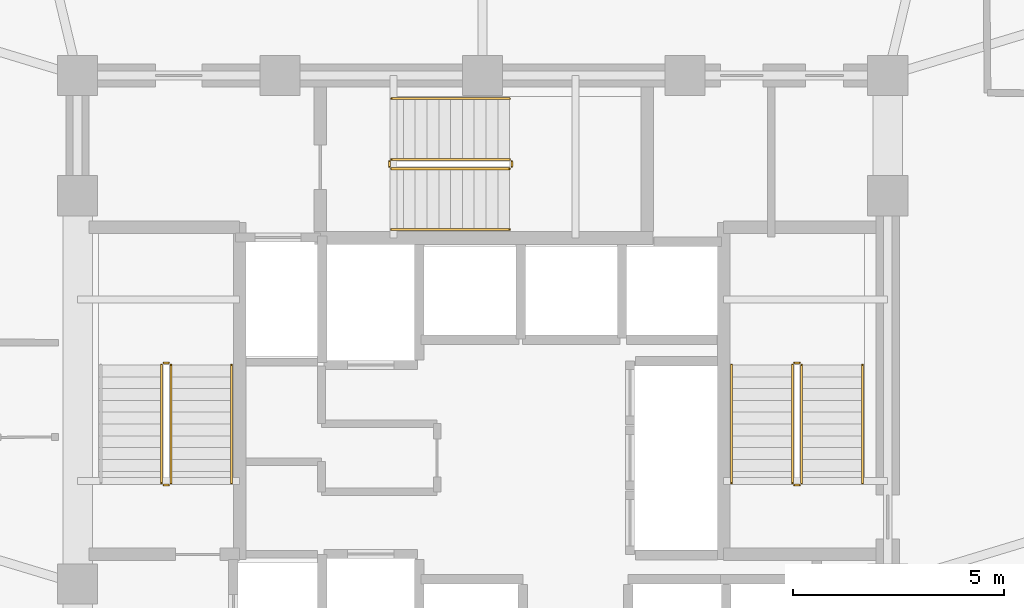
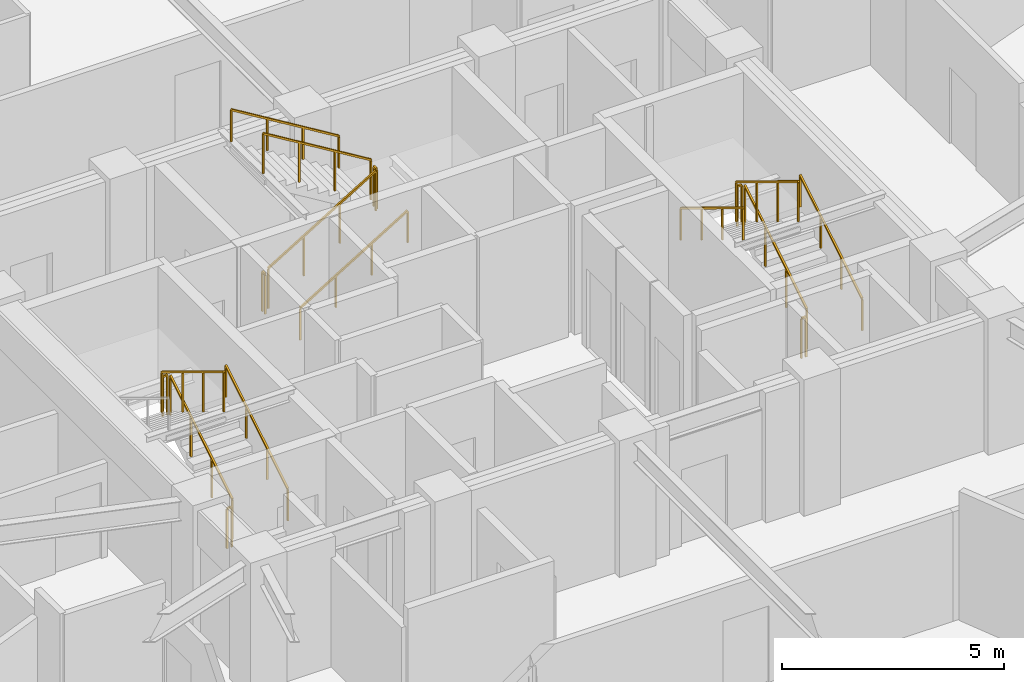
# One storey, part 15 of 16: 17 railings.
"""IFC4 building model written with IfcOpenShell, lengths in metres."""

from ifc_helpers import new_model, si_unit, direction, frame, origin, origin_2d, place, context, subcontext, project, spatial, rectangle, extrude, material, type_object, element, save


model = new_model("IFC4")

# Units and contexts
model_context = context("Model", 3, precision=1e-05, world=origin(), true_north=direction((0.0, 1.0)))
body_context = subcontext(model_context, "Body", "Model", "MODEL_VIEW")
ifc_project = project(units=[si_unit("LENGTHUNIT", "METRE"), si_unit("AREAUNIT", "SQUARE_METRE"), si_unit("VOLUMEUNIT", "CUBIC_METRE"), si_unit("PLANEANGLEUNIT", "RADIAN"), si_unit("MASSUNIT", "GRAM", prefix="KILO")], contexts=[model_context])

# Site, building, storey
site_placement = place(None, origin())
site = spatial("IfcSite", under=ifc_project, at=site_placement, CompositionType="ELEMENT")
building_placement = place(site_placement, origin())
building = spatial("IfcBuilding", under=site, at=building_placement, Name="Vantalir Tower", CompositionType="ELEMENT")
storey_placement = place(building_placement, frame((0.0, 0.0, 145.949951171875)))
storey = spatial("IfcBuildingStorey", under=building, at=storey_placement, Name="L36", CompositionType="ELEMENT", Elevation=145.949951171875)

# Railings
ifc_material_1 = material(Name="Anodised aluminium and stainless steel guard", Category="steel")
railing_type_1 = type_object("IfcRailingType", Name="RAL-GUARD-1120", PredefinedType="GUARDRAIL", material=ifc_material_1)
railing_1_placement = place(storey_placement, frame((24.110107421875, 22.7900390625, 0.17041015625)))
element("IfcRailing", 1, at=railing_1_placement, inside=storey, type_object=railing_type_1, Name="L36 ST1 stair guard 1", PredefinedType="GUARDRAIL", context=body_context, shape_type="SweptSolid", body=[
    extrude(rectangle(XDim=0.048095703125, YDim=0.048095703125, at=origin_2d()), frame((0.0, 0.0, 1.09619140625), z_axis=(0.0, 0.854169791009, 0.51999420009), x_axis=(-1.0, 0.0, 0.0)), (0.0, 0.0, 1.0), 3.278076171875),
    extrude(rectangle(XDim=0.0419921875, YDim=0.0419921875, at=origin_2d()), origin(), (0.0, 0.0, 1.0), 1.072021484375),
    extrude(rectangle(XDim=0.0419921875, YDim=0.0419921875, at=origin_2d()), frame((0.0, 0.933349609375, 0.568115234375)), (0.0, 0.0, 1.0), 1.072021484375),
    extrude(rectangle(XDim=0.0419921875, YDim=0.0419921875, at=origin_2d()), frame((0.0, 1.86669921875, 1.136474609375)), (0.0, 0.0, 1.0), 1.072021484375),
    extrude(rectangle(XDim=0.0419921875, YDim=0.0419921875, at=origin_2d()), frame((0.0, 2.800048828125, 1.70458984375)), (0.0, 0.0, 1.0), 1.072021484375),
])
railing_2_placement = place(storey_placement, frame((24.06005859375, 25.639892578125, 1.875)))
element("IfcRailing", 2, at=railing_2_placement, inside=storey, type_object=railing_type_1, Name="L36 ST1 stair guard 2", PredefinedType="GUARDRAIL", context=body_context, shape_type="SweptSolid", body=[
    extrude(rectangle(XDim=0.048095703125, YDim=0.048095703125, at=origin_2d()), frame((0.0, 0.0, 1.09619140625), z_axis=(-1.0, 0.0, 0.0), x_axis=(0.0, -1.0, 0.0)), (0.0, 0.0, 1.0), 0.1201171875),
    extrude(rectangle(XDim=0.0419921875, YDim=0.0419921875, at=origin_2d()), origin(), (0.0, 0.0, 1.0), 1.072021484375),
    extrude(rectangle(XDim=0.0419921875, YDim=0.0419921875, at=origin_2d()), frame((-0.1201171875, 0.0, 0.0)), (0.0, 0.0, 1.0), 1.072021484375),
])
railing_3_placement = place(storey_placement, frame((23.889892578125, 25.590087890625, 2.04541015625)))
element("IfcRailing", 3, at=railing_3_placement, inside=storey, type_object=railing_type_1, Name="L36 ST1 stair guard 3", PredefinedType="GUARDRAIL", context=body_context, shape_type="SweptSolid", body=[
    extrude(rectangle(XDim=0.048095703125, YDim=0.048095703125, at=origin_2d()), frame((0.0, 0.0, 1.09619140625), z_axis=(0.0, -0.854169791009, 0.51999420009), x_axis=(1.0, 0.0, 0.0)), (0.0, 0.0, 1.0), 3.278076171875),
    extrude(rectangle(XDim=0.0419921875, YDim=0.0419921875, at=origin_2d()), origin(), (0.0, 0.0, 1.0), 1.072021484375),
    extrude(rectangle(XDim=0.0419921875, YDim=0.0419921875, at=origin_2d()), frame((0.0, -0.933349609375, 0.568115234375)), (0.0, 0.0, 1.0), 1.072021484375),
    extrude(rectangle(XDim=0.0419921875, YDim=0.0419921875, at=origin_2d()), frame((0.0, -1.86669921875, 1.136474609375)), (0.0, 0.0, 1.0), 1.072021484375),
    extrude(rectangle(XDim=0.0419921875, YDim=0.0419921875, at=origin_2d()), frame((0.0, -2.800048828125, 1.70458984375)), (0.0, 0.0, 1.0), 1.072021484375),
])
railing_4_placement = place(storey_placement, frame((24.06005859375, 22.739990234375, 0.0)))
element("IfcRailing", 4, at=railing_4_placement, inside=storey, type_object=railing_type_1, Name="L36 ST1 stair guard 4", PredefinedType="GUARDRAIL", context=body_context, shape_type="SweptSolid", body=[
    extrude(rectangle(XDim=0.048095703125, YDim=0.048095703125, at=origin_2d()), frame((0.0, 0.0, 1.09619140625), z_axis=(-1.0, 0.0, 0.0), x_axis=(0.0, -1.0, 0.0)), (0.0, 0.0, 1.0), 0.1201171875),
    extrude(rectangle(XDim=0.0419921875, YDim=0.0419921875, at=origin_2d()), origin(), (0.0, 0.0, 1.0), 1.072021484375),
    extrude(rectangle(XDim=0.0419921875, YDim=0.0419921875, at=origin_2d()), frame((-0.1201171875, 0.0, 0.0)), (0.0, 0.0, 1.0), 1.072021484375),
])
railing_5_placement = place(storey_placement, frame((39.06005859375, 22.7900390625, 0.17041015625)))
element("IfcRailing", 5, at=railing_5_placement, inside=storey, type_object=railing_type_1, Name="L36 ST2 stair guard 1", PredefinedType="GUARDRAIL", context=body_context, shape_type="SweptSolid", body=[
    extrude(rectangle(XDim=0.048095703125, YDim=0.048095703125, at=origin_2d()), frame((0.0, 0.0, 1.09619140625), z_axis=(0.0, 0.854169791009, 0.51999420009), x_axis=(-1.0, 0.0, 0.0)), (0.0, 0.0, 1.0), 3.278076171875),
    extrude(rectangle(XDim=0.0419921875, YDim=0.0419921875, at=origin_2d()), origin(), (0.0, 0.0, 1.0), 1.072021484375),
    extrude(rectangle(XDim=0.0419921875, YDim=0.0419921875, at=origin_2d()), frame((0.0, 0.933349609375, 0.568115234375)), (0.0, 0.0, 1.0), 1.072021484375),
    extrude(rectangle(XDim=0.0419921875, YDim=0.0419921875, at=origin_2d()), frame((0.0, 1.86669921875, 1.136474609375)), (0.0, 0.0, 1.0), 1.072021484375),
    extrude(rectangle(XDim=0.0419921875, YDim=0.0419921875, at=origin_2d()), frame((0.0, 2.800048828125, 1.70458984375)), (0.0, 0.0, 1.0), 1.072021484375),
])
railing_6_placement = place(storey_placement, frame((39.010009765625, 25.639892578125, 1.875)))
element("IfcRailing", 6, at=railing_6_placement, inside=storey, type_object=railing_type_1, Name="L36 ST2 stair guard 2", PredefinedType="GUARDRAIL", context=body_context, shape_type="SweptSolid", body=[
    extrude(rectangle(XDim=0.048095703125, YDim=0.048095703125, at=origin_2d()), frame((0.0, 0.0, 1.09619140625), z_axis=(-1.0, 0.0, 0.0), x_axis=(0.0, -1.0, 0.0)), (0.0, 0.0, 1.0), 0.1201171875),
    extrude(rectangle(XDim=0.0419921875, YDim=0.0419921875, at=origin_2d()), origin(), (0.0, 0.0, 1.0), 1.072021484375),
    extrude(rectangle(XDim=0.0419921875, YDim=0.0419921875, at=origin_2d()), frame((-0.1201171875, 0.0, 0.0)), (0.0, 0.0, 1.0), 1.072021484375),
])
railing_7_placement = place(storey_placement, frame((38.840087890625, 25.590087890625, 2.04541015625)))
element("IfcRailing", 7, at=railing_7_placement, inside=storey, type_object=railing_type_1, Name="L36 ST2 stair guard 3", PredefinedType="GUARDRAIL", context=body_context, shape_type="SweptSolid", body=[
    extrude(rectangle(XDim=0.048095703125, YDim=0.048095703125, at=origin_2d()), frame((0.0, 0.0, 1.09619140625), z_axis=(0.0, -0.854169791009, 0.51999420009), x_axis=(1.0, 0.0, 0.0)), (0.0, 0.0, 1.0), 3.278076171875),
    extrude(rectangle(XDim=0.0419921875, YDim=0.0419921875, at=origin_2d()), origin(), (0.0, 0.0, 1.0), 1.072021484375),
    extrude(rectangle(XDim=0.0419921875, YDim=0.0419921875, at=origin_2d()), frame((0.0, -0.933349609375, 0.568115234375)), (0.0, 0.0, 1.0), 1.072021484375),
    extrude(rectangle(XDim=0.0419921875, YDim=0.0419921875, at=origin_2d()), frame((0.0, -1.86669921875, 1.136474609375)), (0.0, 0.0, 1.0), 1.072021484375),
    extrude(rectangle(XDim=0.0419921875, YDim=0.0419921875, at=origin_2d()), frame((0.0, -2.800048828125, 1.70458984375)), (0.0, 0.0, 1.0), 1.072021484375),
])
railing_8_placement = place(storey_placement, frame((39.010009765625, 22.739990234375, 0.0)))
element("IfcRailing", 8, at=railing_8_placement, inside=storey, type_object=railing_type_1, Name="L36 ST2 stair guard 4", PredefinedType="GUARDRAIL", context=body_context, shape_type="SweptSolid", body=[
    extrude(rectangle(XDim=0.048095703125, YDim=0.048095703125, at=origin_2d()), frame((0.0, 0.0, 1.09619140625), z_axis=(-1.0, 0.0, 0.0), x_axis=(0.0, -1.0, 0.0)), (0.0, 0.0, 1.0), 0.1201171875),
    extrude(rectangle(XDim=0.0419921875, YDim=0.0419921875, at=origin_2d()), origin(), (0.0, 0.0, 1.0), 1.072021484375),
    extrude(rectangle(XDim=0.0419921875, YDim=0.0419921875, at=origin_2d()), frame((-0.1201171875, 0.0, 0.0)), (0.0, 0.0, 1.0), 1.072021484375),
])
railing_9_placement = place(storey_placement, frame((29.340087890625, 30.239990234375, 0.17041015625)))
element("IfcRailing", 9, at=railing_9_placement, inside=storey, type_object=railing_type_1, Name="L36 ST3 stair guard 1", PredefinedType="GUARDRAIL", context=body_context, shape_type="SweptSolid", body=[
    extrude(rectangle(XDim=0.048095703125, YDim=0.048095703125, at=origin_2d()), frame((0.0, 0.0, 1.09619140625), z_axis=(0.854149651119, 0.0, 0.520027281489), x_axis=(0.0, 1.0, 0.0)), (0.0, 0.0, 1.0), 3.27783203125),
    extrude(rectangle(XDim=0.0419921875, YDim=0.0419921875, at=origin_2d()), origin(), (0.0, 0.0, 1.0), 1.072021484375),
    extrude(rectangle(XDim=0.0419921875, YDim=0.0419921875, at=origin_2d()), frame((0.933349609375, 0.0, 0.568115234375)), (0.0, 0.0, 1.0), 1.072021484375),
    extrude(rectangle(XDim=0.0419921875, YDim=0.0419921875, at=origin_2d()), frame((1.866455078125, 0.0, 1.136474609375)), (0.0, 0.0, 1.0), 1.072021484375),
    extrude(rectangle(XDim=0.0419921875, YDim=0.0419921875, at=origin_2d()), frame((2.7998046875, 0.0, 1.70458984375)), (0.0, 0.0, 1.0), 1.072021484375),
])
railing_10_placement = place(storey_placement, frame((32.18994140625, 30.2900390625, 1.875)))
element("IfcRailing", 10, at=railing_10_placement, inside=storey, type_object=railing_type_1, Name="L36 ST3 stair guard 2", PredefinedType="GUARDRAIL", context=body_context, shape_type="SweptSolid", body=[
    extrude(rectangle(XDim=0.048095703125, YDim=0.048095703125, at=origin_2d()), frame((0.0, 0.0, 1.09619140625), z_axis=(0.0, 1.0, 0.0), x_axis=(-1.0, 0.0, 0.0)), (0.0, 0.0, 1.0), 0.119873046875),
    extrude(rectangle(XDim=0.0419921875, YDim=0.0419921875, at=origin_2d()), origin(), (0.0, 0.0, 1.0), 1.072021484375),
    extrude(rectangle(XDim=0.0419921875, YDim=0.0419921875, at=origin_2d()), frame((0.0, 0.119873046875, 0.0)), (0.0, 0.0, 1.0), 1.072021484375),
])
railing_11_placement = place(storey_placement, frame((32.139892578125, 30.4599609375, 2.04541015625)))
element("IfcRailing", 11, at=railing_11_placement, inside=storey, type_object=railing_type_1, Name="L36 ST3 stair guard 3", PredefinedType="GUARDRAIL", context=body_context, shape_type="SweptSolid", body=[
    extrude(rectangle(XDim=0.048095703125, YDim=0.048095703125, at=origin_2d()), frame((0.0, 0.0, 1.09619140625), z_axis=(-0.854149651119, 0.0, 0.520027281489), x_axis=(0.0, -1.0, 0.0)), (0.0, 0.0, 1.0), 3.27783203125),
    extrude(rectangle(XDim=0.0419921875, YDim=0.0419921875, at=origin_2d()), origin(), (0.0, 0.0, 1.0), 1.072021484375),
    extrude(rectangle(XDim=0.0419921875, YDim=0.0419921875, at=origin_2d()), frame((-0.933349609375, 0.0, 0.568115234375)), (0.0, 0.0, 1.0), 1.072021484375),
    extrude(rectangle(XDim=0.0419921875, YDim=0.0419921875, at=origin_2d()), frame((-1.866455078125, 0.0, 1.136474609375)), (0.0, 0.0, 1.0), 1.072021484375),
    extrude(rectangle(XDim=0.0419921875, YDim=0.0419921875, at=origin_2d()), frame((-2.7998046875, 0.0, 1.70458984375)), (0.0, 0.0, 1.0), 1.072021484375),
])
railing_12_placement = place(storey_placement, frame((29.2900390625, 30.2900390625, 0.0)))
element("IfcRailing", 12, at=railing_12_placement, inside=storey, type_object=railing_type_1, Name="L36 ST3 stair guard 4", PredefinedType="GUARDRAIL", context=body_context, shape_type="SweptSolid", body=[
    extrude(rectangle(XDim=0.048095703125, YDim=0.048095703125, at=origin_2d()), frame((0.0, 0.0, 1.09619140625), z_axis=(0.0, 1.0, 0.0), x_axis=(-1.0, 0.0, 0.0)), (0.0, 0.0, 1.0), 0.119873046875),
    extrude(rectangle(XDim=0.0419921875, YDim=0.0419921875, at=origin_2d()), origin(), (0.0, 0.0, 1.0), 1.072021484375),
    extrude(rectangle(XDim=0.0419921875, YDim=0.0419921875, at=origin_2d()), frame((0.0, 0.119873046875, 0.0)), (0.0, 0.0, 1.0), 1.072021484375),
])
ifc_material_2 = material(Name="Brushed stainless steel tubular handrail", Category="steel")
railing_type_2 = type_object("IfcRailingType", Name="RAL-HANDRAIL-900", PredefinedType="HANDRAIL", material=ifc_material_2)
for number, where, name in (
    (13, (25.550048828125, 22.7900390625, 0.17041015625), "L36 ST1 stair handrail 1"),
    (14, (40.5, 22.7900390625, 0.17041015625), "L36 ST2 stair handrail 1"),
):
    element("IfcRailing", number, at=place(storey_placement, frame(where)), inside=storey, type_object=railing_type_2, Name=name, PredefinedType="HANDRAIL", context=body_context, shape_type="SweptSolid", body=[
        extrude(rectangle(XDim=0.048095703125, YDim=0.048095703125, at=origin_2d()), frame((0.0, 0.0, 0.8759765625), z_axis=(0.0, 0.854169791009, 0.51999420009), x_axis=(-1.0, 0.0, 0.0)), (0.0, 0.0, 1.0), 3.278076171875),
        extrude(rectangle(XDim=0.0419921875, YDim=0.0419921875, at=origin_2d()), origin(), (0.0, 0.0, 1.0), 0.851806640625),
        extrude(rectangle(XDim=0.0419921875, YDim=0.0419921875, at=origin_2d()), frame((0.0, 0.933349609375, 0.568115234375)), (0.0, 0.0, 1.0), 0.851806640625),
        extrude(rectangle(XDim=0.0419921875, YDim=0.0419921875, at=origin_2d()), frame((0.0, 1.86669921875, 1.136474609375)), (0.0, 0.0, 1.0), 0.851806640625),
        extrude(rectangle(XDim=0.0419921875, YDim=0.0419921875, at=origin_2d()), frame((0.0, 2.800048828125, 1.70458984375)), (0.0, 0.0, 1.0), 0.851806640625),
    ])
railing_13_placement = place(storey_placement, frame((37.39990234375, 25.590087890625, 2.04541015625)))
element("IfcRailing", 15, at=railing_13_placement, inside=storey, type_object=railing_type_2, Name="L36 ST2 stair handrail 2", PredefinedType="HANDRAIL", context=body_context, shape_type="SweptSolid", body=[
    extrude(rectangle(XDim=0.048095703125, YDim=0.048095703125, at=origin_2d()), frame((0.0, 0.0, 0.8759765625), z_axis=(0.0, -0.854169791009, 0.51999420009), x_axis=(1.0, 0.0, 0.0)), (0.0, 0.0, 1.0), 3.278076171875),
    extrude(rectangle(XDim=0.0419921875, YDim=0.0419921875, at=origin_2d()), origin(), (0.0, 0.0, 1.0), 0.851806640625),
    extrude(rectangle(XDim=0.0419921875, YDim=0.0419921875, at=origin_2d()), frame((0.0, -0.933349609375, 0.568115234375)), (0.0, 0.0, 1.0), 0.851806640625),
    extrude(rectangle(XDim=0.0419921875, YDim=0.0419921875, at=origin_2d()), frame((0.0, -1.86669921875, 1.136474609375)), (0.0, 0.0, 1.0), 0.851806640625),
    extrude(rectangle(XDim=0.0419921875, YDim=0.0419921875, at=origin_2d()), frame((0.0, -2.800048828125, 1.70458984375)), (0.0, 0.0, 1.0), 0.851806640625),
])
railing_14_placement = place(storey_placement, frame((29.340087890625, 28.800048828125, 0.17041015625)))
element("IfcRailing", 16, at=railing_14_placement, inside=storey, type_object=railing_type_2, Name="L36 ST3 stair handrail 1", PredefinedType="HANDRAIL", context=body_context, shape_type="SweptSolid", body=[
    extrude(rectangle(XDim=0.048095703125, YDim=0.048095703125, at=origin_2d()), frame((0.0, 0.0, 0.8759765625), z_axis=(0.854149651119, 0.0, 0.520027281489), x_axis=(0.0, 1.0, 0.0)), (0.0, 0.0, 1.0), 3.27783203125),
    extrude(rectangle(XDim=0.0419921875, YDim=0.0419921875, at=origin_2d()), origin(), (0.0, 0.0, 1.0), 0.851806640625),
    extrude(rectangle(XDim=0.0419921875, YDim=0.0419921875, at=origin_2d()), frame((0.933349609375, 0.0, 0.568115234375)), (0.0, 0.0, 1.0), 0.851806640625),
    extrude(rectangle(XDim=0.0419921875, YDim=0.0419921875, at=origin_2d()), frame((1.866455078125, 0.0, 1.136474609375)), (0.0, 0.0, 1.0), 0.851806640625),
    extrude(rectangle(XDim=0.0419921875, YDim=0.0419921875, at=origin_2d()), frame((2.7998046875, 0.0, 1.70458984375)), (0.0, 0.0, 1.0), 0.851806640625),
])
railing_15_placement = place(storey_placement, frame((32.139892578125, 31.89990234375, 2.04541015625)))
element("IfcRailing", 17, at=railing_15_placement, inside=storey, type_object=railing_type_2, Name="L36 ST3 stair handrail 2", PredefinedType="HANDRAIL", context=body_context, shape_type="SweptSolid", body=[
    extrude(rectangle(XDim=0.048095703125, YDim=0.048095703125, at=origin_2d()), frame((0.0, 0.0, 0.8759765625), z_axis=(-0.854149651119, 0.0, 0.520027281489), x_axis=(0.0, -1.0, 0.0)), (0.0, 0.0, 1.0), 3.27783203125),
    extrude(rectangle(XDim=0.0419921875, YDim=0.0419921875, at=origin_2d()), origin(), (0.0, 0.0, 1.0), 0.851806640625),
    extrude(rectangle(XDim=0.0419921875, YDim=0.0419921875, at=origin_2d()), frame((-0.933349609375, 0.0, 0.568115234375)), (0.0, 0.0, 1.0), 0.851806640625),
    extrude(rectangle(XDim=0.0419921875, YDim=0.0419921875, at=origin_2d()), frame((-1.866455078125, 0.0, 1.136474609375)), (0.0, 0.0, 1.0), 0.851806640625),
    extrude(rectangle(XDim=0.0419921875, YDim=0.0419921875, at=origin_2d()), frame((-2.7998046875, 0.0, 1.70458984375)), (0.0, 0.0, 1.0), 0.851806640625),
])

save(model, "model.ifc")
